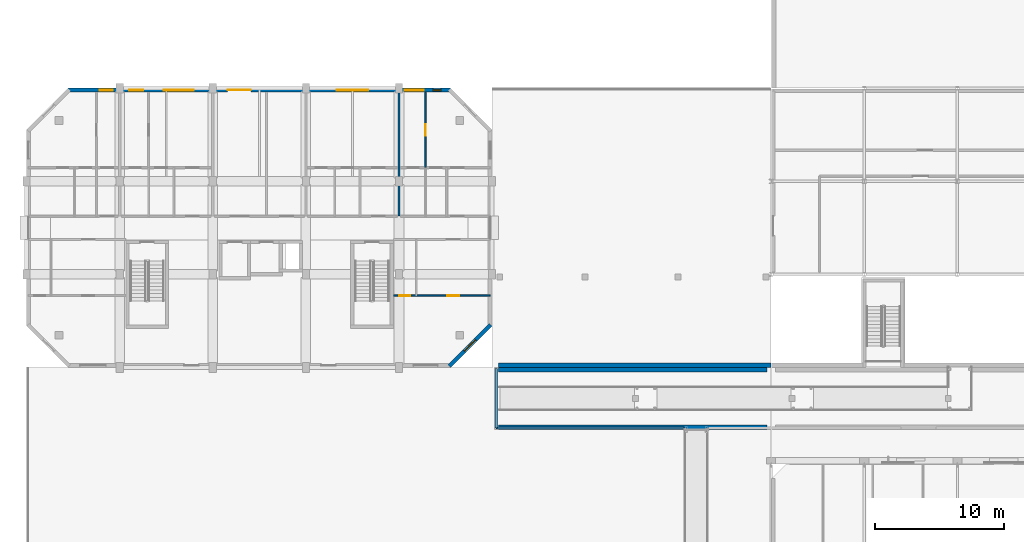
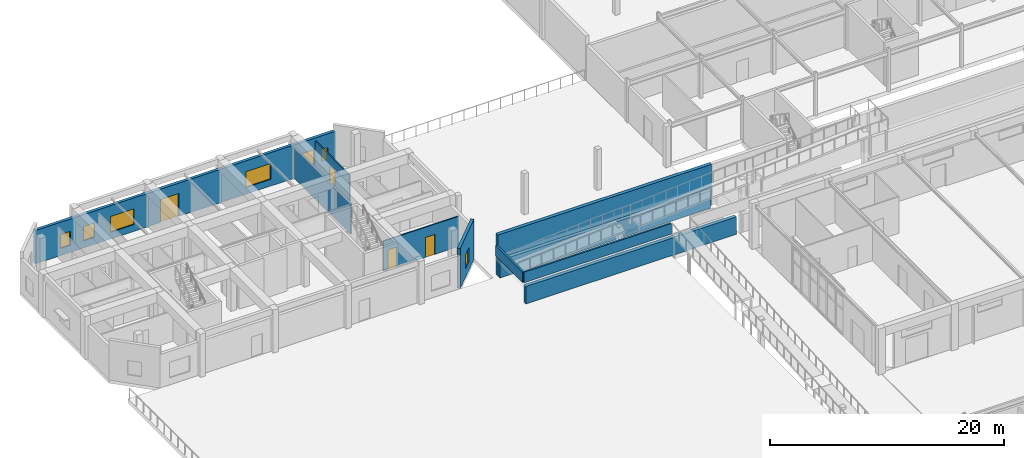
# One storey, part 61 of 85: 10 walls, 7 windows, 4 doors, 11 openings.
"""IFC4 building model written with IfcOpenShell, lengths in metres."""

from ifc_helpers import new_model, si_unit, direction, frame, frame_2d, origin, place, context, subcontext, project, spatial, rectangle, extrude, material, layer, layer_set, type_object, element, fill, save


model = new_model("IFC4")

# Units and contexts
model_context = context("Model", 3, precision=1e-05, world=origin(), true_north=direction((0.0, 1.0)))
body_context = subcontext(model_context, "Body", "Model", "MODEL_VIEW")
ifc_project = project(units=[si_unit("LENGTHUNIT", "METRE"), si_unit("AREAUNIT", "SQUARE_METRE"), si_unit("VOLUMEUNIT", "CUBIC_METRE"), si_unit("PLANEANGLEUNIT", "RADIAN"), si_unit("MASSUNIT", "GRAM", prefix="KILO")], contexts=[model_context])

# Site, building, storey
site_placement = place(None, origin())
site = spatial("IfcSite", under=ifc_project, at=site_placement, CompositionType="ELEMENT")
building_placement = place(site_placement, origin())
building = spatial("IfcBuilding", under=site, at=building_placement, Name="Ochrevale Crest", CompositionType="ELEMENT")
storey_placement = place(building_placement, origin())
storey = spatial("IfcBuildingStorey", under=building, at=storey_placement, Name="L00", CompositionType="ELEMENT", Elevation=0.0)

# Wall, opening, window
ifc_material_1 = material(Name="Clay face brickwork", Category="masonry")
ifc_layer_1 = layer(ifc_material_1, 0.2900390625)
ifc_layer_set_1 = layer_set([ifc_layer_1], Name="Clay face brickwork")
wall_type_1 = type_object("IfcWallType", Name="WL-EXT-BRICK-290", PredefinedType="SOLIDWALL", material=ifc_layer_set_1)
wall_1_placement = place(storey_placement, frame((32.697509765625, 72.1025390625, 0.0), z_axis=(0.0, 0.0, 1.0), x_axis=(0.707106781187, 0.707106781187, 0.0)))
wall_1 = element("IfcWall", 1, at=wall_1_placement, inside=storey, type_object=wall_type_1, Name="Block B L00 external facade wall E2", PredefinedType="SOLIDWALL", context=body_context, shape_type="SweptSolid", body=[
    extrude(rectangle(XDim=4.525390625, YDim=0.2900390625, at=frame_2d((2.2626953125, 0.0))), origin(), (0.0, 0.0, 1.0), 4.175048828125),
])
opening_1_placement = place(wall_1_placement, frame((1.652587890625, 0.0, 0.85009765625)))
opening_1 = element("IfcOpeningElement", 2, at=opening_1_placement, cuts=wall_1, Name="Opening W06", PredefinedType="OPENING", context=body_context, shape_type="SweptSolid", body=[
    extrude(rectangle(XDim=1.219970703125, YDim=1.5, at=frame_2d((0.60986328125, 0.75))), frame((0.0, 0.155029296875, 0.0), z_axis=(0.0, -1.0, 0.0), x_axis=(1.0, 0.0, 0.0)), (0.0, 0.0, 1.0), 0.31005859375),
])
ifc_material_2 = material(Name="Anodised aluminium 6063-T5 and low-E double glazing", Category="aluminium")
window_type_1 = type_object("IfcWindowType", Name="WIN-W06", PartitioningType="SINGLE_PANEL", PredefinedType="WINDOW", material=ifc_material_2)
window_1_placement = place(opening_1_placement, origin())
window_1 = element("IfcWindow", 3, at=window_1_placement, inside=storey, type_object=window_type_1, Name="Block B L00 corner room casement window 2", OverallHeight=1.5, OverallWidth=1.219970703125, PartitioningType="SINGLE_PANEL", PredefinedType="WINDOW", context=body_context, shape_type="SweptSolid", body=[
    extrude(rectangle(XDim=1.219970703125, YDim=1.5, at=frame_2d((0.60986328125, 0.75))), frame((0.0, 0.030029296875, 0.0), z_axis=(0.0, -1.0, 0.0), x_axis=(1.0, 0.0, 0.0)), (0.0, 0.0, 1.0), 0.06005859375),
])
fill(opening_1, window_1)

# Wall, openings, door, windows
wall_2_placement = place(storey_placement, frame((32.800048828125, 93.455078125, 0.0), z_axis=(0.0, 0.0, 1.0), x_axis=(-1.0, 0.0, 0.0)))
wall_2 = element("IfcWall", 4, at=wall_2_placement, inside=storey, type_object=wall_type_1, Name="Block B L00 external facade wall E5", PredefinedType="SOLIDWALL", context=body_context, shape_type="SweptSolid", body=[
    extrude(rectangle(XDim=29.60009765625, YDim=0.2900390625, at=frame_2d((14.800048828125, 0.0))), origin(), (0.0, 0.0, 1.0), 3.47998046875),
])
opening_2_placement = place(wall_2_placement, frame((17.25, 0.0, 0.0), z_axis=(0.0, 0.0, 1.0), x_axis=(-1.0, 0.0, 0.0)))
opening_2 = element("IfcOpeningElement", 5, at=opening_2_placement, cuts=wall_2, Name="Opening ED01", PredefinedType="OPENING", context=body_context, shape_type="SweptSolid", body=[
    extrude(rectangle(XDim=1.800048828125, YDim=2.39990234375, at=frame_2d((0.89990234375, 1.199951171875))), frame((0.0, 0.155029296875, 0.0), z_axis=(0.0, -1.0, 0.0), x_axis=(1.0, 0.0, 0.0)), (0.0, 0.0, 1.0), 0.31005859375),
])
opening_3_placement = place(wall_2_placement, frame((26.157470703125, 0.0, 0.75)))
opening_3 = element("IfcOpeningElement", 6, at=opening_3_placement, cuts=wall_2, Name="Opening W04", PredefinedType="OPENING", context=body_context, shape_type="SweptSolid", body=[
    extrude(rectangle(XDim=0.97998046875, YDim=1.449951171875, at=frame_2d((0.489990234375, 0.72509765625))), frame((0.0, 0.155029296875, 0.0), z_axis=(0.0, -1.0, 0.0), x_axis=(1.0, 0.0, 0.0)), (0.0, 0.0, 1.0), 0.31005859375),
])
opening_4_placement = place(wall_2_placement, frame((23.777587890625, 0.0, 0.75)))
opening_4 = element("IfcOpeningElement", 7, at=opening_4_placement, cuts=wall_2, Name="Opening W05", PredefinedType="OPENING", context=body_context, shape_type="SweptSolid", body=[
    extrude(rectangle(XDim=1.10009765625, YDim=1.5, at=frame_2d((0.550048828125, 0.75))), frame((0.0, 0.155029296875, 0.0), z_axis=(0.0, -1.0, 0.0), x_axis=(1.0, 0.0, 0.0)), (0.0, 0.0, 1.0), 0.31005859375),
])
opening_5_placement = place(wall_2_placement, frame((19.882568359375, 0.0, 0.699951171875)))
opening_5 = element("IfcOpeningElement", 8, at=opening_5_placement, cuts=wall_2, Name="Opening W14", PredefinedType="OPENING", context=body_context, shape_type="SweptSolid", body=[
    extrude(rectangle(XDim=2.300048828125, YDim=1.64990234375, at=frame_2d((1.14990234375, 0.824951171875))), frame((0.0, 0.155029296875, 0.0), z_axis=(0.0, -1.0, 0.0), x_axis=(1.0, 0.0, 0.0)), (0.0, 0.0, 1.0), 0.31005859375),
])
opening_6_placement = place(wall_2_placement, frame((6.375, 0.0, 0.699951171875)))
opening_6 = element("IfcOpeningElement", 9, at=opening_6_placement, cuts=wall_2, Name="Opening W15", PredefinedType="OPENING", context=body_context, shape_type="SweptSolid", body=[
    extrude(rectangle(XDim=2.449951171875, YDim=1.64990234375, at=frame_2d((1.22509765625, 0.824951171875))), frame((0.0, 0.155029296875, 0.0), z_axis=(0.0, -1.0, 0.0), x_axis=(1.0, 0.0, 0.0)), (0.0, 0.0, 1.0), 0.31005859375),
])
opening_7_placement = place(wall_2_placement, frame((2.092529296875, 0.0, 0.75)))
opening_7 = element("IfcOpeningElement", 10, at=opening_7_placement, cuts=wall_2, Name="Opening W08", PredefinedType="OPENING", context=body_context, shape_type="SweptSolid", body=[
    extrude(rectangle(XDim=1.4599609375, YDim=1.550048828125, at=frame_2d((0.72998046875, 0.77490234375))), frame((0.0, 0.155029296875, 0.0), z_axis=(0.0, -1.0, 0.0), x_axis=(1.0, 0.0, 0.0)), (0.0, 0.0, 1.0), 0.31005859375),
])
opening_8_placement = place(wall_2_placement, frame((0.7548828125, 0.0, 0.75)))
opening_8 = element("IfcOpeningElement", 11, at=opening_8_placement, cuts=wall_2, Name="Opening W01", PredefinedType="OPENING", context=body_context, shape_type="SweptSolid", body=[
    extrude(rectangle(XDim=0.60009765625, YDim=1.25, at=frame_2d((0.300048828125, 0.625))), frame((0.0, 0.155029296875, 0.0), z_axis=(0.0, -1.0, 0.0), x_axis=(1.0, 0.0, 0.0)), (0.0, 0.0, 1.0), 0.31005859375),
])
ifc_material_3 = material(Name="Anodised aluminium 6063-T5 and toughened glass", Category="aluminium")
door_type_1 = type_object("IfcDoorType", Name="DR-EXT-1800", OperationType="NOTDEFINED", PredefinedType="DOOR", material=ifc_material_3)
door_1_placement = place(opening_2_placement, origin())
door_1 = element("IfcDoor", 12, at=door_1_placement, inside=storey, type_object=door_type_1, Name="Block B main ground entrance double door", OperationType="DOUBLE_DOOR_SINGLE_SWING", OverallHeight=2.39990234375, OverallWidth=1.800048828125, PredefinedType="DOOR", context=body_context, shape_type="SweptSolid", body=[
    extrude(rectangle(XDim=1.800048828125, YDim=2.39990234375, at=frame_2d((0.89990234375, 1.199951171875))), frame((0.0, 0.02490234375, 0.0), z_axis=(0.0, -1.0, 0.0), x_axis=(1.0, 0.0, 0.0)), (0.0, 0.0, 1.0), 0.050048828125),
])
fill(opening_2, door_1)
window_type_2 = type_object("IfcWindowType", Name="WIN-W01", PartitioningType="SINGLE_PANEL", PredefinedType="WINDOW", material=ifc_material_2)
window_2_placement = place(opening_8_placement, origin())
window_2 = element("IfcWindow", 13, at=window_2_placement, inside=storey, type_object=window_type_2, Name="Block B L00 Apartment B-L00-U5 One Bedroom Living Room window", OverallHeight=1.25, OverallWidth=0.60009765625, PartitioningType="SINGLE_PANEL", PredefinedType="WINDOW", context=body_context, shape_type="SweptSolid", body=[
    extrude(rectangle(XDim=0.60009765625, YDim=1.25, at=frame_2d((0.300048828125, 0.625))), frame((0.0, 0.030029296875, 0.0), z_axis=(0.0, -1.0, 0.0), x_axis=(1.0, 0.0, 0.0)), (0.0, 0.0, 1.0), 0.06005859375),
])
fill(opening_8, window_2)
window_type_3 = type_object("IfcWindowType", Name="WIN-W04", PartitioningType="SINGLE_PANEL", PredefinedType="WINDOW", material=ifc_material_2)
window_3_placement = place(opening_3_placement, origin())
window_3 = element("IfcWindow", 14, at=window_3_placement, inside=storey, type_object=window_type_3, Name="Block B L00 Apartment B-L00-U1 One Bedroom Living Room window", OverallHeight=1.449951171875, OverallWidth=0.97998046875, PartitioningType="SINGLE_PANEL", PredefinedType="WINDOW", context=body_context, shape_type="SweptSolid", body=[
    extrude(rectangle(XDim=0.97998046875, YDim=1.449951171875, at=frame_2d((0.489990234375, 0.72509765625))), frame((0.0, 0.030029296875, 0.0), z_axis=(0.0, -1.0, 0.0), x_axis=(1.0, 0.0, 0.0)), (0.0, 0.0, 1.0), 0.06005859375),
])
fill(opening_3, window_3)
window_type_4 = type_object("IfcWindowType", Name="WIN-W05", PartitioningType="SINGLE_PANEL", PredefinedType="WINDOW", material=ifc_material_2)
window_4_placement = place(opening_4_placement, origin())
window_4 = element("IfcWindow", 15, at=window_4_placement, inside=storey, type_object=window_type_4, Name="Block B L00 Apartment B-L00-U2 Master Bedroom window", OverallHeight=1.5, OverallWidth=1.10009765625, PartitioningType="SINGLE_PANEL", PredefinedType="WINDOW", context=body_context, shape_type="SweptSolid", body=[
    extrude(rectangle(XDim=1.10009765625, YDim=1.5, at=frame_2d((0.550048828125, 0.75))), frame((0.0, 0.030029296875, 0.0), z_axis=(0.0, -1.0, 0.0), x_axis=(1.0, 0.0, 0.0)), (0.0, 0.0, 1.0), 0.06005859375),
])
fill(opening_4, window_4)
window_type_5 = type_object("IfcWindowType", Name="WIN-W08", PartitioningType="SINGLE_PANEL", PredefinedType="WINDOW", material=ifc_material_2)
window_5_placement = place(opening_7_placement, origin())
window_5 = element("IfcWindow", 16, at=window_5_placement, inside=storey, type_object=window_type_5, Name="Block B L00 Apartment B-L00-U5 Master Bedroom window", OverallHeight=1.550048828125, OverallWidth=1.4599609375, PartitioningType="SINGLE_PANEL", PredefinedType="WINDOW", context=body_context, shape_type="SweptSolid", body=[
    extrude(rectangle(XDim=1.4599609375, YDim=1.550048828125, at=frame_2d((0.72998046875, 0.77490234375))), frame((0.0, 0.030029296875, 0.0), z_axis=(0.0, -1.0, 0.0), x_axis=(1.0, 0.0, 0.0)), (0.0, 0.0, 1.0), 0.06005859375),
])
fill(opening_7, window_5)
window_type_6 = type_object("IfcWindowType", Name="WIN-W14", PartitioningType="SINGLE_PANEL", PredefinedType="WINDOW", material=ifc_material_2)
window_6_placement = place(opening_5_placement, origin())
window_6 = element("IfcWindow", 17, at=window_6_placement, inside=storey, type_object=window_type_6, Name="Block B L00 Apartment B-L00-U2 One Bedroom Living Room window", OverallHeight=1.64990234375, OverallWidth=2.300048828125, PartitioningType="SINGLE_PANEL", PredefinedType="WINDOW", context=body_context, shape_type="SweptSolid", body=[
    extrude(rectangle(XDim=2.300048828125, YDim=1.64990234375, at=frame_2d((1.14990234375, 0.824951171875))), frame((0.0, 0.030029296875, 0.0), z_axis=(0.0, -1.0, 0.0), x_axis=(1.0, 0.0, 0.0)), (0.0, 0.0, 1.0), 0.06005859375),
])
fill(opening_5, window_6)
window_type_7 = type_object("IfcWindowType", Name="WIN-W15", PartitioningType="SINGLE_PANEL", PredefinedType="WINDOW", material=ifc_material_2)
window_7_placement = place(opening_6_placement, origin())
window_7 = element("IfcWindow", 18, at=window_7_placement, inside=storey, type_object=window_type_7, Name="Block B L00 Studio B-L00-U4 Living Room window", OverallHeight=1.64990234375, OverallWidth=2.449951171875, PartitioningType="SINGLE_PANEL", PredefinedType="WINDOW", context=body_context, shape_type="SweptSolid", body=[
    extrude(rectangle(XDim=2.449951171875, YDim=1.64990234375, at=frame_2d((1.22509765625, 0.824951171875))), frame((0.0, 0.030029296875, 0.0), z_axis=(0.0, -1.0, 0.0), x_axis=(1.0, 0.0, 0.0)), (0.0, 0.0, 1.0), 0.06005859375),
])
fill(opening_6, window_7)

# Walls
ifc_layer_2 = layer(ifc_material_1, 0.179931640625)
ifc_layer_set_2 = layer_set([ifc_layer_2], Name="Clay face brickwork")
wall_type_2 = type_object("IfcWallType", Name="WL-PARAPET-180", PredefinedType="PARAPET", material=ifc_layer_set_2)
wall_3_placement = place(storey_placement, frame((36.320068359375, 67.320068359375, 2.25), z_axis=(0.0, 0.0, 1.0), x_axis=(1.0, 0.0, 0.0)))
element("IfcWall", 19, at=wall_3_placement, inside=storey, type_object=wall_type_2, Name="Hillside Step 2 amphitheatre parapet 1", PredefinedType="PARAPET", context=body_context, shape_type="SweptSolid", body=[
    extrude(rectangle(XDim=14.530029296875, YDim=0.179931640625, at=frame_2d((7.26513671875, 0.0))), origin(), (0.0, 0.0, 1.0), 1.10009765625),
])
wall_4_placement = place(storey_placement, frame((36.320068359375, 67.320068359375, 2.25), z_axis=(0.0, 0.0, 1.0), x_axis=(0.0, 1.0, 0.0)))
element("IfcWall", 20, at=wall_4_placement, inside=storey, type_object=wall_type_2, Name="Hillside Step 2 W end parapet", PredefinedType="PARAPET", context=body_context, shape_type="SweptSolid", body=[
    extrude(rectangle(XDim=4.579833984375, YDim=0.179931640625, at=frame_2d((2.2900390625, 0.0))), origin(), (0.0, 0.0, 1.0), 1.10009765625),
])

# Wall, opening, door
ifc_material_4 = material(Name="Gypsum plasterboard", Category="gypsum")
ifc_layer_3 = layer(ifc_material_4, 0.1201171875)
ifc_layer_set_3 = layer_set([ifc_layer_3], Name="Gypsum plasterboard")
wall_type_3 = type_object("IfcWallType", Name="WL-PART-120", PredefinedType="PARTITIONING", material=ifc_layer_set_3)
wall_5_placement = place(storey_placement, frame((30.85009765625, 87.449951171875, 0.0), z_axis=(0.0, 0.0, 1.0), x_axis=(0.0, 1.0, 0.0)))
wall_5 = element("IfcWall", 21, at=wall_5_placement, inside=storey, type_object=wall_type_3, Name="Apartment B-L00-U5 bedroom partition", PredefinedType="PARTITIONING", context=body_context, shape_type="SweptSolid", body=[
    extrude(rectangle(XDim=5.85009765625, YDim=0.1201171875, at=frame_2d((2.925048828125, 0.0))), origin(), (0.0, 0.0, 1.0), 3.14990234375),
])
opening_9_placement = place(wall_5_placement, frame((2.47509765625, 0.0, 0.0)))
opening_9 = element("IfcOpeningElement", 22, at=opening_9_placement, cuts=wall_5, Name="Opening ID02", PredefinedType="OPENING", context=body_context, shape_type="SweptSolid", body=[
    extrude(rectangle(XDim=0.89990234375, YDim=2.080078125, at=frame_2d((0.449951171875, 1.0400390625))), frame((0.0, 0.070068359375, 0.0), z_axis=(0.0, -1.0, 0.0), x_axis=(1.0, 0.0, 0.0)), (0.0, 0.0, 1.0), 0.14013671875),
])
ifc_material_5 = material(Name="Solid-core FSC hardwood", Category="wood")
door_type_2 = type_object("IfcDoorType", Name="DR-INT-900", OperationType="NOTDEFINED", PredefinedType="DOOR", material=ifc_material_5)
door_2_placement = place(opening_9_placement, origin())
door_2 = element("IfcDoor", 23, at=door_2_placement, inside=storey, type_object=door_type_2, Name="Apartment B-L00-U5 Master Bedroom door", OperationType="SINGLE_SWING_LEFT", OverallHeight=2.080078125, OverallWidth=0.89990234375, PredefinedType="DOOR", context=body_context, shape_type="SweptSolid", body=[
    extrude(rectangle(XDim=0.89990234375, YDim=2.080078125, at=frame_2d((0.449951171875, 1.0400390625))), frame((0.0, 0.02490234375, 0.0), z_axis=(0.0, -1.0, 0.0), x_axis=(1.0, 0.0, 0.0)), (0.0, 0.0, 1.0), 0.050048828125),
])
fill(opening_9, door_2)

# Wall, openings, doors
wall_6_placement = place(storey_placement, frame((28.389892578125, 77.550048828125, 0.0), z_axis=(0.0, 0.0, 1.0), x_axis=(1.0, 0.0, 0.0)))
wall_6 = element("IfcWall", 24, at=wall_6_placement, inside=storey, type_object=wall_type_3, Name="Suite B-L00-CE internal wall", PredefinedType="PARTITIONING", context=body_context, shape_type="SweptSolid", body=[
    extrude(rectangle(XDim=7.47021484375, YDim=0.1201171875, at=frame_2d((3.735107421875, 0.0))), origin(), (0.0, 0.0, 1.0), 3.14990234375),
])
opening_10_placement = place(wall_6_placement, frame((1.300048828125, 0.0, 0.0), z_axis=(0.0, 0.0, 1.0), x_axis=(-1.0, 0.0, 0.0)))
opening_10 = element("IfcOpeningElement", 25, at=opening_10_placement, cuts=wall_6, Name="Opening ID01", PredefinedType="OPENING", context=body_context, shape_type="SweptSolid", body=[
    extrude(rectangle(XDim=0.85009765625, YDim=2.080078125, at=frame_2d((0.425048828125, 1.0400390625))), frame((0.0, 0.070068359375, 0.0), z_axis=(0.0, -1.0, 0.0), x_axis=(1.0, 0.0, 0.0)), (0.0, 0.0, 1.0), 0.14013671875),
])
opening_11_placement = place(wall_6_placement, frame((4.14990234375, 0.0, 0.0)))
opening_11 = element("IfcOpeningElement", 26, at=opening_11_placement, cuts=wall_6, Name="Opening ID04", PredefinedType="OPENING", context=body_context, shape_type="SweptSolid", body=[
    extrude(rectangle(XDim=0.919921875, YDim=2.080078125, at=frame_2d((0.4599609375, 1.0400390625))), frame((0.0, 0.070068359375, 0.0), z_axis=(0.0, -1.0, 0.0), x_axis=(1.0, 0.0, 0.0)), (0.0, 0.0, 1.0), 0.14013671875),
])
door_type_3 = type_object("IfcDoorType", Name="DR-INT-920", OperationType="NOTDEFINED", PredefinedType="DOOR", material=ifc_material_5)
door_3_placement = place(opening_11_placement, origin())
door_3 = element("IfcDoor", 27, at=door_3_placement, inside=storey, type_object=door_type_3, Name="Suite B-L00-CE Master Bedroom door", OperationType="SINGLE_SWING_LEFT", OverallHeight=2.080078125, OverallWidth=0.919921875, PredefinedType="DOOR", context=body_context, shape_type="SweptSolid", body=[
    extrude(rectangle(XDim=0.919921875, YDim=2.080078125, at=frame_2d((0.4599609375, 1.0400390625))), frame((0.0, 0.02490234375, 0.0), z_axis=(0.0, -1.0, 0.0), x_axis=(1.0, 0.0, 0.0)), (0.0, 0.0, 1.0), 0.050048828125),
])
fill(opening_11, door_3)
door_type_4 = type_object("IfcDoorType", Name="DR-WC-850", OperationType="NOTDEFINED", PredefinedType="DOOR", material=ifc_material_5)
door_4_placement = place(opening_10_placement, origin())
door_4 = element("IfcDoor", 28, at=door_4_placement, inside=storey, type_object=door_type_4, Name="Suite B-L00-CE Bathroom door", OperationType="SINGLE_SWING_RIGHT", OverallHeight=2.080078125, OverallWidth=0.85009765625, PredefinedType="DOOR", context=body_context, shape_type="SweptSolid", body=[
    extrude(rectangle(XDim=0.85009765625, YDim=2.080078125, at=frame_2d((0.425048828125, 1.0400390625))), frame((0.0, 0.02490234375, 0.0), z_axis=(0.0, -1.0, 0.0), x_axis=(1.0, 0.0, 0.0)), (0.0, 0.0, 1.0), 0.050048828125),
])
fill(opening_10, door_4)

# Walls
ifc_material_6 = material(Name="Concrete C40/50", Category="concrete")
ifc_layer_4 = layer(ifc_material_6, 0.340087890625)
ifc_layer_set_4 = layer_set([ifc_layer_4], Name="Concrete C40/50")
wall_type_4 = type_object("IfcWallType", Name="WL-RET-340", PredefinedType="USERDEFINED", material=ifc_layer_set_4)
for number, where, z_axis, x_axis, name in (
    (29, (36.5, 67.3701171875, 0.0), (0.0, 0.0, 1.0), (1.0, 0.0, 0.0), "Hillside Step 2 south retaining wall W"),
    (30, (36.5, 71.830078125, 0.0), (0.0, 0.0, 1.0), (1.0, 0.0, 0.0), "Hillside Step 2 north retaining wall W"),
):
    element("IfcWall", number, at=place(storey_placement, frame(where, z_axis=z_axis, x_axis=x_axis)), inside=storey, type_object=wall_type_4, Name=name, ObjectType="RETAININGWALL", PredefinedType="USERDEFINED", context=body_context, shape_type="SweptSolid", body=[
        extrude(rectangle(XDim=20.77490234375, YDim=0.340087890625, at=frame_2d((10.387451171875, 0.0))), origin(), (0.0, 0.0, 1.0), 1.830078125),
    ])
wall_7_placement = place(storey_placement, frame((36.5, 72.169921875, 0.0), z_axis=(0.0, 0.0, 1.0), x_axis=(1.0, 0.0, 0.0)))
element("IfcWall", 31, at=wall_7_placement, inside=storey, type_object=wall_type_4, Name="Hillside Step 3 south retaining wall 1", ObjectType="RETAININGWALL", PredefinedType="USERDEFINED", context=body_context, shape_type="SweptSolid", body=[
    extrude(rectangle(XDim=21.074951171875, YDim=0.340087890625, at=frame_2d((10.53759765625, 0.0))), origin(), (0.0, 0.0, 1.0), 4.27490234375),
])
ifc_layer_5 = layer(ifc_material_4, 0.169921875)
ifc_layer_set_5 = layer_set([ifc_layer_5], Name="Gypsum plasterboard")
wall_type_5 = type_object("IfcWallType", Name="WL-TEN-170", PredefinedType="PARTITIONING", material=ifc_layer_set_5)
wall_8_placement = place(storey_placement, frame((28.800048828125, 83.699951171875, 0.0), z_axis=(0.0, 0.0, 1.0), x_axis=(0.0, 1.0, 0.0)))
element("IfcWall", 32, at=wall_8_placement, inside=storey, type_object=wall_type_5, Name="Block B L00 inter-tenancy wall 4", PredefinedType="PARTITIONING", context=body_context, shape_type="SweptSolid", body=[
    extrude(rectangle(XDim=9.60009765625, YDim=0.169921875, at=frame_2d((4.800048828125, 0.0))), origin(), (0.0, 0.0, 1.0), 3.14990234375),
])

save(model, "model.ifc")
